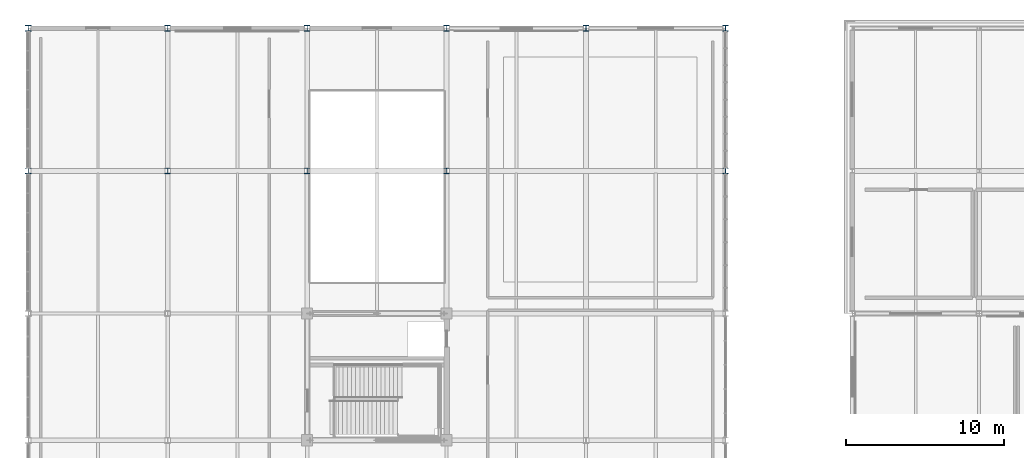
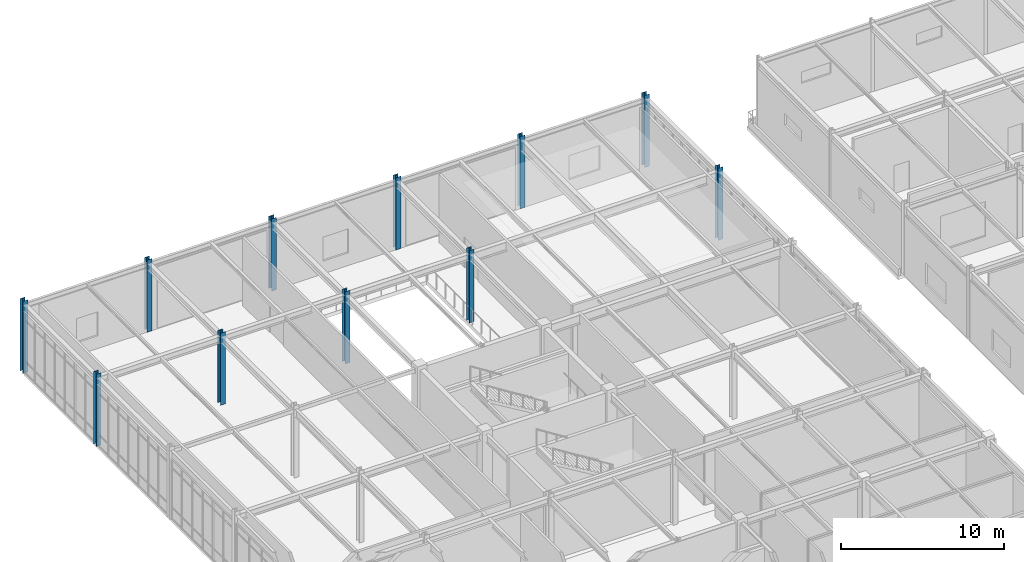
# One storey, part 14 of 184: 11 columns.
"""IFC4 building model written with IfcOpenShell, lengths in metres."""

from ifc_helpers import new_model, si_unit, direction, frame, origin, origin_2d, place, context, subcontext, project, spatial, i_section, extrude, material, material_profile, profile_set, type_object, element, save


model = new_model("IFC4")

# Units and contexts
model_context = context("Model", 3, precision=1e-05, world=origin(), true_north=direction((0.0, 1.0)))
body_context = subcontext(model_context, "Body", "Model", "MODEL_VIEW")
ifc_project = project(units=[si_unit("LENGTHUNIT", "METRE"), si_unit("AREAUNIT", "SQUARE_METRE"), si_unit("VOLUMEUNIT", "CUBIC_METRE"), si_unit("PLANEANGLEUNIT", "RADIAN"), si_unit("MASSUNIT", "GRAM", prefix="KILO")], contexts=[model_context])

# Site, building, storey
site_placement = place(None, origin())
site = spatial("IfcSite", under=ifc_project, at=site_placement, CompositionType="ELEMENT")
building_placement = place(site_placement, origin())
building = spatial("IfcBuilding", under=site, at=building_placement, Name="Zhaolan Boulevard Law Courts", CompositionType="ELEMENT")
storey_placement = place(building_placement, frame((0.0, 0.0, 5.39990234375)))
storey = spatial("IfcBuildingStorey", under=building, at=storey_placement, Name="L01", CompositionType="ELEMENT", Elevation=5.39990234375)

# Columns
ifc_material = material(Name="Structural steel Q355B", Category="steel")
ifc_material_profile = material_profile(ifc_material, i_section(OverallWidth=0.35009765625, OverallDepth=0.35009765625, WebThickness=0.011962890625, FlangeThickness=0.01904296875, FilletRadius=0.02001953125, at=origin_2d()), Name="HW350x350")
ifc_profile_set = profile_set([ifc_material_profile], Name="Structural steel Q355B")
column_type = type_object("IfcColumnType", Name="COL HW350", PredefinedType="COLUMN", material=ifc_profile_set)
for number, where, z_axis, x_axis, name in (
    (1, (0.0, 103.0, 0.0), (0.0, 0.0, 1.0), (1.0, 0.0, 0.0), "Column C-1P (L01)"),
    (2, (0.0, 112.0, 0.0), (0.0, 0.0, 1.0), (1.0, 0.0, 0.0), "Column C-1Q (L01)"),
    (3, (8.800048828125, 103.0, 0.0), (0.0, 0.0, 1.0), (1.0, 0.0, 0.0), "Column C-2P (L01)"),
    (4, (8.800048828125, 112.0, 0.0), (0.0, 0.0, 1.0), (1.0, 0.0, 0.0), "Column C-2Q (L01)"),
    (5, (17.60009765625, 103.0, 0.0), (0.0, 0.0, 1.0), (1.0, 0.0, 0.0), "Column C-3P (L01)"),
    (6, (17.60009765625, 112.0, 0.0), (0.0, 0.0, 1.0), (1.0, 0.0, 0.0), "Column C-3Q (L01)"),
    (7, (26.39990234375, 103.0, 0.0), (0.0, 0.0, 1.0), (1.0, 0.0, 0.0), "Column C-4P (L01)"),
    (8, (26.39990234375, 112.0, 0.0), (0.0, 0.0, 1.0), (1.0, 0.0, 0.0), "Column C-4Q (L01)"),
    (9, (35.199951171875, 112.0, 0.0), (0.0, 0.0, 1.0), (1.0, 0.0, 0.0), "Column C-5Q (L01)"),
    (10, (44.0, 103.0, 0.0), (0.0, 0.0, 1.0), (1.0, 0.0, 0.0), "Column C-6P (L01)"),
    (11, (44.0, 112.0, 0.0), (0.0, 0.0, 1.0), (1.0, 0.0, 0.0), "Column C-6Q (L01)"),
):
    element("IfcColumn", number, at=place(storey_placement, frame(where, z_axis=z_axis, x_axis=x_axis)), inside=storey, type_object=column_type, Name=name, PredefinedType="COLUMN", context=body_context, shape_type="SweptSolid", body=[
        extrude(i_section(OverallWidth=0.35009765625, OverallDepth=0.35009765625, WebThickness=0.011962890625, FlangeThickness=0.01904296875, FilletRadius=0.02001953125, at=origin_2d()), origin(), (0.0, 0.0, 1.0), 5.400146484375),
    ])

save(model, "model.ifc")
